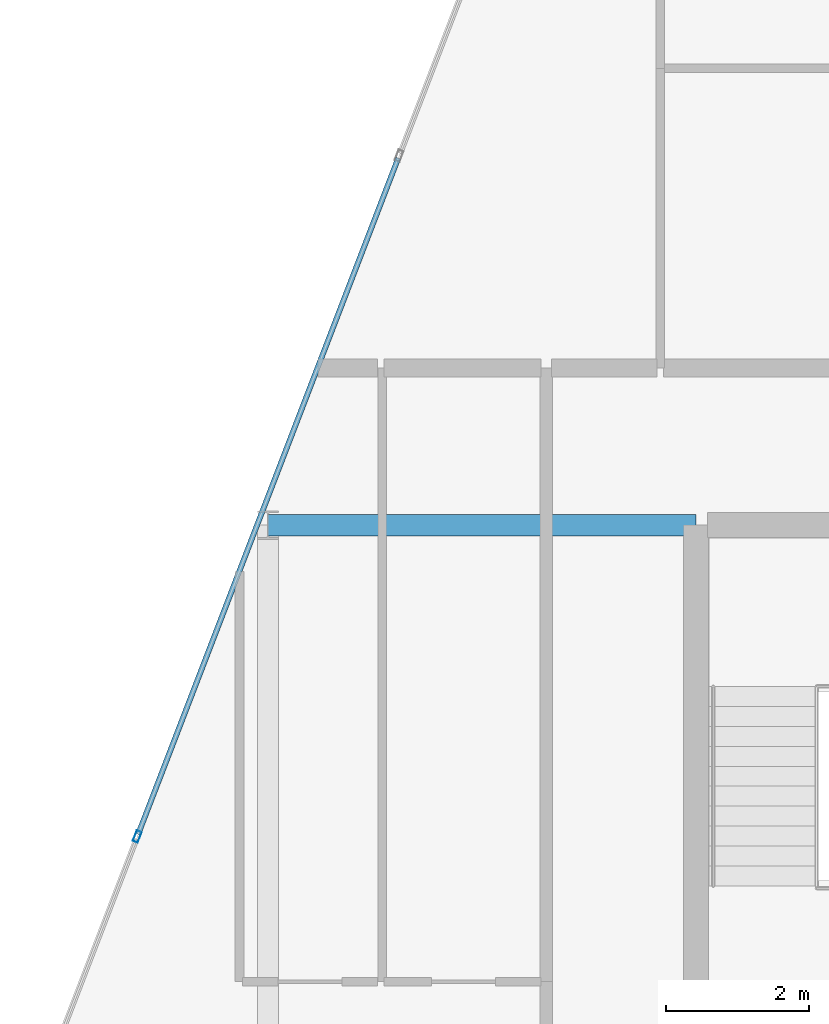
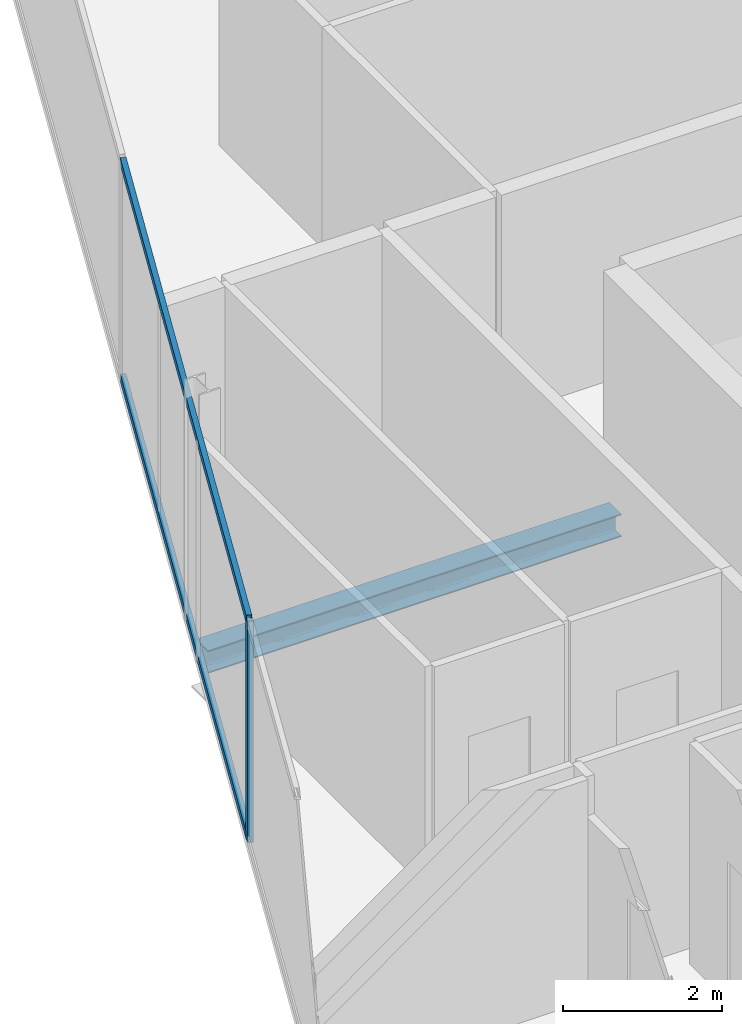
# One storey, part 10 of 27: 3 members, 1 beam, 1 element without a shape of its own.
"""IFC4 building model written with IfcOpenShell, lengths in metres."""

from ifc_helpers import new_model, si_unit, direction, frame, origin, origin_2d, place, context, subcontext, project, spatial, hollow_rectangle, i_section, extrude, material, layer, layer_set, material_profile, profile_set, type_object, element, aggregate, save


model = new_model("IFC4")

# Units and contexts
model_context = context("Model", 3, precision=1e-05, world=origin(), true_north=direction((0.0, 1.0)))
body_context = subcontext(model_context, "Body", "Model", "MODEL_VIEW")
ifc_project = project(units=[si_unit("LENGTHUNIT", "METRE"), si_unit("AREAUNIT", "SQUARE_METRE"), si_unit("VOLUMEUNIT", "CUBIC_METRE"), si_unit("PLANEANGLEUNIT", "RADIAN"), si_unit("MASSUNIT", "GRAM", prefix="KILO")], contexts=[model_context])

# Site, building, storey
site_placement = place(None, origin())
site = spatial("IfcSite", under=ifc_project, at=site_placement, CompositionType="ELEMENT")
building_placement = place(site_placement, origin())
building = spatial("IfcBuilding", under=site, at=building_placement, Name="Keshet Zoharim Tower", CompositionType="ELEMENT")
storey_placement = place(building_placement, frame((0.0, 0.0, 254.699951171875)))
storey = spatial("IfcBuildingStorey", under=building, at=storey_placement, Name="L63", CompositionType="ELEMENT", Elevation=254.699951171875)

# Beam
ifc_material_1 = material(Name="Steel S355", Category="steel")
ifc_material_profile_1 = material_profile(ifc_material_1, i_section(OverallWidth=0.300048828125, OverallDepth=0.35009765625, WebThickness=0.010009765625, FlangeThickness=0.017578125, FilletRadius=0.027099609375, at=origin_2d()), Name="HEA360")
ifc_profile_set_1 = profile_set([ifc_material_profile_1], Name="Steel S355")
beam_type = type_object("IfcBeamType", Name="BM-PRI-HA360", PredefinedType="BEAM", material=ifc_profile_set_1)
beam_placement = place(storey_placement, frame((9.0, 37.89990234375, -0.48486328125), z_axis=(1.0, 0.0, 0.0), x_axis=(0.0, 1.0, 0.0)))
element("IfcBeam", 1, at=beam_placement, inside=storey, type_object=beam_type, Name="L63 Primary Girder X-008", PredefinedType="BEAM", context=body_context, shape_type="SweptSolid", body=[
    extrude(i_section(OverallWidth=0.300048828125, OverallDepth=0.35009765625, WebThickness=0.010009765625, FlangeThickness=0.017578125, FilletRadius=0.027099609375, at=origin_2d()), origin(), (0.0, 0.0, 1.0), 6.0),
])

# Curtain wall, members
ifc_material_2 = material(Name="Aluminium 6063-T6", Category="aluminium")
ifc_layer = layer(ifc_material_2, 0.260009765625)
ifc_layer_set = layer_set([ifc_layer], Name="Aluminium 6063-T6")
curtain_wall_type = type_object("IfcCurtainWallType", Name="CW-SYS-06", PredefinedType="NOTDEFINED", material=ifc_layer_set)
curtain_wall_placement = place(storey_placement, origin())
curtain_wall = element("IfcCurtainWall", 2, at=curtain_wall_placement, inside=storey, type_object=curtain_wall_type, Name="L63 Unitised Curtain Wall 03", PredefinedType="NOTDEFINED")
ifc_material_profile_2 = material_profile(ifc_material_2, hollow_rectangle(XDim=0.074951171875, YDim=0.159912109375, WallThickness=0.00390625, at=origin_2d()), Name="MUL-75x160")
ifc_profile_set_2 = profile_set([ifc_material_profile_2], Name="Aluminium 6063-T6")
member_type_1 = type_object("IfcMemberType", Name="CWM-M15", PredefinedType="MULLION", material=ifc_profile_set_2)
member_1_placement = place(storey_placement, frame((7.1669921875, 33.53466796875, 0.0), z_axis=(0.0, 0.0, 1.0), x_axis=(-0.933341404361, 0.358990003907, 0.0)))
member_1 = element("IfcMember", 3, at=member_1_placement, type_object=member_type_1, Name="CW-06 mullion 2", PredefinedType="MULLION", context=body_context, shape_type="SweptSolid", body=[
    extrude(hollow_rectangle(XDim=0.074951171875, YDim=0.159912109375, WallThickness=0.00390625, at=origin_2d()), origin(), (0.0, 0.0, 1.0), 3.39013671875),
])
ifc_material_profile_3 = material_profile(ifc_material_2, hollow_rectangle(XDim=0.074951171875, YDim=0.1201171875, WallThickness=0.00390625, at=origin_2d()), Name="TRN-75x120")
ifc_profile_set_3 = profile_set([ifc_material_profile_3], Name="Aluminium 6063-T6")
member_type_2 = type_object("IfcMemberType", Name="CWT-T12", PredefinedType="USERDEFINED", material=ifc_profile_set_3)
member_2_placement = place(storey_placement, frame((7.179443359375, 33.5673828125, 0.03515625), z_axis=(0.359003248899, 0.933336309848, 0.0), x_axis=(-0.933336309848, 0.359003248899, 0.0)))
member_2 = element("IfcMember", 4, at=member_2_placement, type_object=member_type_2, Name="CW-06 transom 2.1", ObjectType="TRANSOM", PredefinedType="USERDEFINED", context=body_context, shape_type="SweptSolid", body=[
    extrude(hollow_rectangle(XDim=0.074951171875, YDim=0.1201171875, WallThickness=0.00390625, at=origin_2d()), origin(), (0.0, 0.0, 1.0), 10.153076171875),
])
member_3_placement = place(storey_placement, frame((7.179443359375, 33.5673828125, 3.35498046875), z_axis=(0.359003248899, 0.933336309848, 0.0), x_axis=(-0.933336309848, 0.359003248899, 0.0)))
member_3 = element("IfcMember", 5, at=member_3_placement, type_object=member_type_2, Name="CW-06 transom 2.2", ObjectType="TRANSOM", PredefinedType="USERDEFINED", context=body_context, shape_type="SweptSolid", body=[
    extrude(hollow_rectangle(XDim=0.074951171875, YDim=0.1201171875, WallThickness=0.00390625, at=origin_2d()), origin(), (0.0, 0.0, 1.0), 10.153076171875),
])
aggregate(curtain_wall, [member_1, member_2, member_3])

save(model, "model.ifc")
